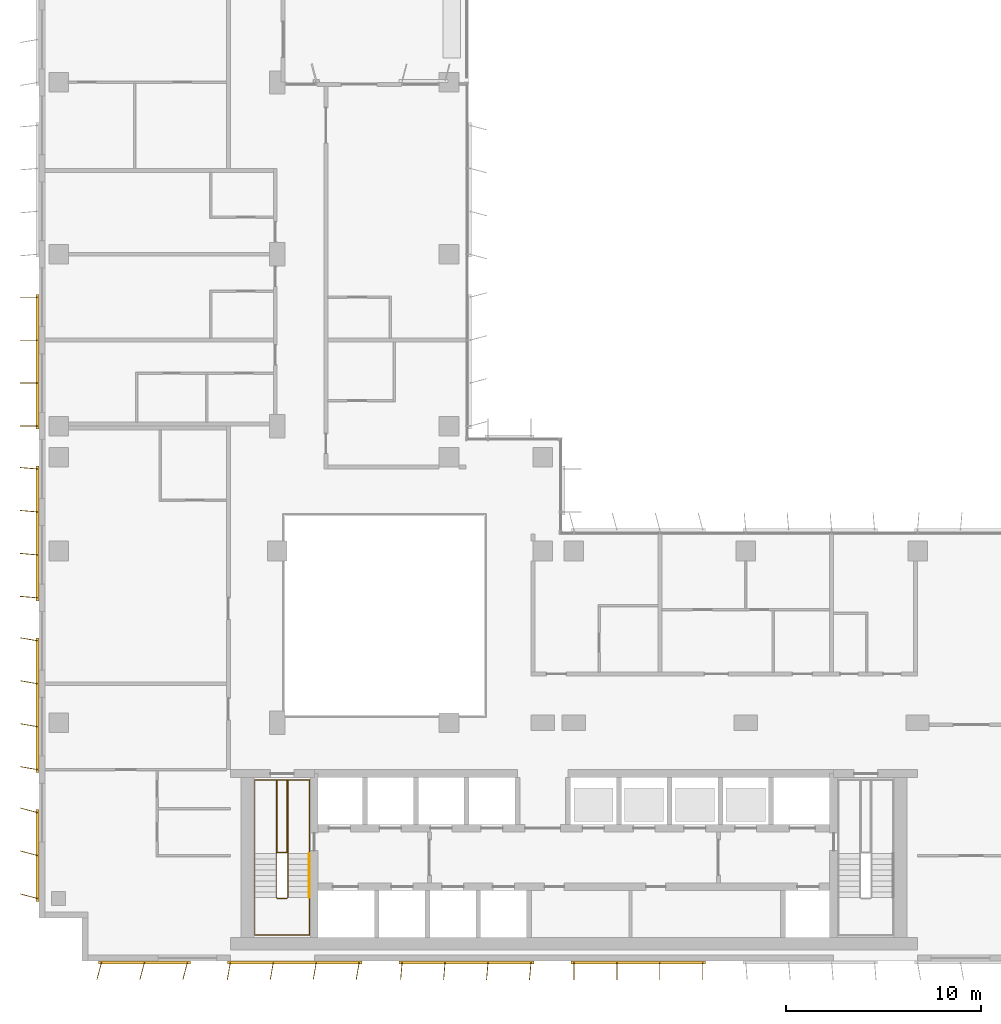
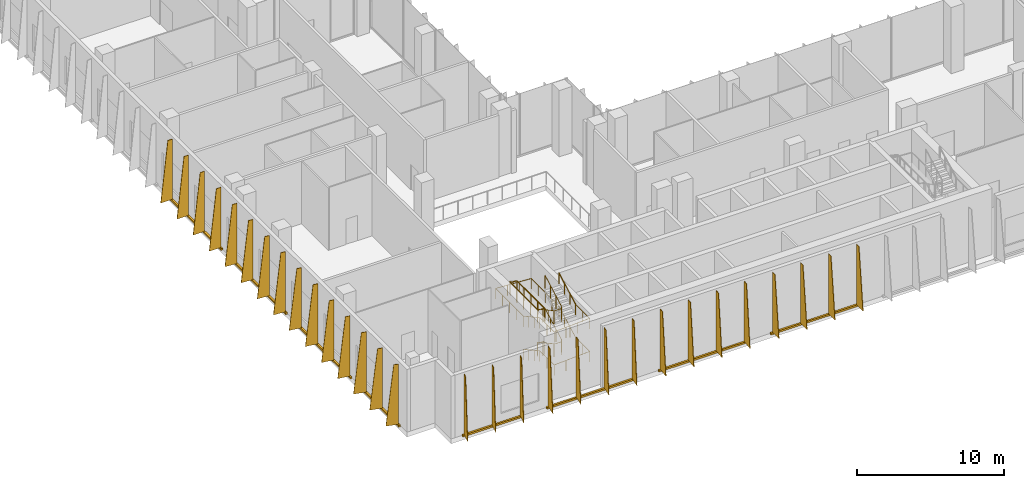
# One storey, part 19 of 24: 8 shading devices, 4 railings.
"""IFC4 building model written with IfcOpenShell, lengths in metres."""

import ifcopenshell
import ifcopenshell.guid

model = None  # the IFC model being written
_history = None  # IfcOwnerHistory: only IFC2X3 demands one
_inside = {}  # id of a spatial element -> (the spatial element, [elements in it])
_under = {}  # id of a project, library or spatial element -> (it, [spatial elements below it])
_declared = {}  # id of a project -> (the project, [libraries it declares])
_typed = {}  # id of a type object -> (the type object, [elements of that type])
_made_of = {}  # id of a material, layer set ... -> (it, [elements and type objects made of it])


def new_model(schema):
    """Start an empty IFC model of exactly this schema.

    Asked for "IFC4X3", IfcOpenShell would pick the latest addendum, in which some entities
    have other attributes; the version numbers below select the first issue.
    IFC2X3 requires an IfcOwnerHistory on every rooted entity: one is made here for all.
    """
    global model, _history
    if schema == "IFC4X3":
        model = ifcopenshell.file(schema_version=(4, 3, 0, 0))
    else:
        model = ifcopenshell.file(schema=schema)
    _inside.clear()
    _under.clear()
    _declared.clear()
    _typed.clear()
    _made_of.clear()
    _history = None
    if model.schema == "IFC2X3":
        org = make("IfcOrganization", Name="unknown")
        user = make(
            "IfcPersonAndOrganization",
            ThePerson=make("IfcPerson", FamilyName="unknown"),
            TheOrganization=org,
        )
        app = make(
            "IfcApplication",
            ApplicationDeveloper=org,
            Version="unknown",
            ApplicationFullName="unknown",
            ApplicationIdentifier="unknown",
        )
        _history = make(
            "IfcOwnerHistory",
            OwningUser=user,
            OwningApplication=app,
            ChangeAction="ADDED",
            CreationDate=0,
        )
    return model


def make(cls, **values):
    """One entity of the class cls with the attributes given. An attribute that is None is left unset."""
    return model.create_entity(
        cls, **{name: value for name, value in values.items() if value is not None}
    )


def rooted(cls, **values):
    """An entity with a GlobalId (a new one), such as an element, a storey or a relation."""
    return make(cls, GlobalId=ifcopenshell.guid.new(), OwnerHistory=_history, **values)


def si_unit(unit_type, name, prefix=None):
    """IfcSIUnit, for example si_unit("LENGTHUNIT", "METRE", prefix="MILLI")."""
    return make("IfcSIUnit", UnitType=unit_type, Prefix=prefix, Name=name)


def assignment(units):
    """IfcUnitAssignment: the units of a project."""
    return None if units is None else make("IfcUnitAssignment", Units=units)


def point(xyz):
    """IfcCartesianPoint."""
    return None if xyz is None else make("IfcCartesianPoint", Coordinates=xyz)


def direction(xyz):
    """IfcDirection."""
    return None if xyz is None else make("IfcDirection", DirectionRatios=xyz)


def frame(location, z_axis=None, x_axis=None):
    """IfcAxis2Placement3D, a coordinate frame: its origin and axes. An axis left out is left unset."""
    return make(
        "IfcAxis2Placement3D",
        Location=point(location),
        Axis=direction(z_axis),
        RefDirection=direction(x_axis),
    )


def frame_2d(location, x_axis=None):
    """IfcAxis2Placement2D, a coordinate frame in the plane: its origin and x axis."""
    return make(
        "IfcAxis2Placement2D", Location=point(location), RefDirection=direction(x_axis)
    )


def origin():
    """The frame at (0, 0, 0) with its axes left unset."""
    return frame((0.0, 0.0, 0.0))


def origin_2d():
    """The frame at (0, 0) in the plane with its x axis left unset."""
    return frame_2d((0.0, 0.0))


def place(relative_to, where):
    """IfcLocalPlacement: puts the frame where relative to a parent placement (None: the world)."""
    return make(
        "IfcLocalPlacement", PlacementRelTo=relative_to, RelativePlacement=where
    )


def context(
    kind, dimensions, precision=None, world=None, true_north=None, identifier=None
):
    """IfcGeometricRepresentationContext, for example the 3D "Model" context."""
    return make(
        "IfcGeometricRepresentationContext",
        ContextIdentifier=identifier,
        ContextType=kind,
        CoordinateSpaceDimension=dimensions,
        Precision=precision,
        WorldCoordinateSystem=world,
        TrueNorth=true_north,
    )


def subcontext(parent, identifier, kind, view, scale=None):
    """IfcGeometricRepresentationSubContext, for example "Body" below "Model"."""
    return make(
        "IfcGeometricRepresentationSubContext",
        ContextIdentifier=identifier,
        ContextType=kind,
        ParentContext=parent,
        TargetScale=scale,
        TargetView=view,
    )


def project(units=None, contexts=None):
    """IfcProject with its units and contexts."""
    return rooted(
        "IfcProject",
        Name="project",
        RepresentationContexts=contexts,
        UnitsInContext=assignment(units),
    )


def spatial(cls, under=None, at=None, **own):
    """A site, building, storey or space (cls), placed at a placement, below another one or the project."""
    s = rooted(cls, ObjectPlacement=at, **own)
    if under is not None:
        _under.setdefault(under.id(), (under, []))[1].append(s)
    return s


def polyline(points):
    """IfcPolyline through the points."""
    return make("IfcPolyline", Points=[point(p) for p in points])


def profile(cls, at=None, kind="AREA", **sizes):
    """A parametric profile (cls). Its sizes go by their IFC names, for example OverallWidth=200.0."""
    return make(cls, ProfileType=kind, Position=at, **sizes)


def rectangle(**sizes):
    """IfcRectangleProfileDef."""
    return profile("IfcRectangleProfileDef", **sizes)


def circle(**sizes):
    """IfcCircleProfileDef."""
    return profile("IfcCircleProfileDef", **sizes)


def outline(outer, holes=None, kind="AREA"):
    """IfcArbitraryClosedProfileDef: a profile drawn as a closed curve; with holes, ...WithVoids."""
    if holes is None:
        return make("IfcArbitraryClosedProfileDef", ProfileType=kind, OuterCurve=outer)
    return make(
        "IfcArbitraryProfileDefWithVoids",
        ProfileType=kind,
        OuterCurve=outer,
        InnerCurves=holes,
    )


def extrude(swept, where, along, depth):
    """IfcExtrudedAreaSolid: the profile swept, set in the frame where, extruded along a direction by depth."""
    return make(
        "IfcExtrudedAreaSolid",
        SweptArea=swept,
        Position=where,
        ExtrudedDirection=direction(along),
        Depth=depth,
    )


def shape(context_of_items, identifier, shape_type, items):
    """IfcShapeRepresentation: the items that make up one representation, for example the "Body"."""
    return make(
        "IfcShapeRepresentation",
        ContextOfItems=context_of_items,
        RepresentationIdentifier=identifier,
        RepresentationType=shape_type,
        Items=items,
    )


def source(mapping_origin, context_of_items, identifier, shape_type, items):
    """IfcRepresentationMap: a shape defined once, which mapped items show again and again."""
    return make(
        "IfcRepresentationMap",
        MappingOrigin=mapping_origin,
        MappedRepresentation=shape(context_of_items, identifier, shape_type, items),
    )


def transform(
    local_origin,
    x_axis=None,
    y_axis=None,
    z_axis=None,
    scale=None,
    scale2=None,
    scale3=None,
    uniform=True,
):
    """IfcCartesianTransformationOperator3D, or its non-uniform kind. x_axis, y_axis, z_axis: its Axis1, 2, 3."""
    if uniform:
        return make(
            "IfcCartesianTransformationOperator3D",
            Axis1=direction(x_axis),
            Axis2=direction(y_axis),
            LocalOrigin=point(local_origin),
            Scale=scale,
            Axis3=direction(z_axis),
        )
    return make(
        "IfcCartesianTransformationOperator3DnonUniform",
        Axis1=direction(x_axis),
        Axis2=direction(y_axis),
        LocalOrigin=point(local_origin),
        Scale=scale,
        Axis3=direction(z_axis),
        Scale2=scale2,
        Scale3=scale3,
    )


def mapped(mapping_source, mapping_target):
    """IfcMappedItem: shows the shape of a source again, moved by a transform."""
    return make(
        "IfcMappedItem", MappingSource=mapping_source, MappingTarget=mapping_target
    )


def material(Name=None, Category=None):
    """IfcMaterial."""
    return make("IfcMaterial", Name=Name, Category=Category)


def layer(
    of_material, thickness, ventilated=None, Name=None, Category=None, Priority=None
):
    """IfcMaterialLayer: one layer of a wall or slab, of a material (None: an air gap)."""
    return make(
        "IfcMaterialLayer",
        Material=of_material,
        LayerThickness=thickness,
        IsVentilated=ventilated,
        Name=Name,
        Category=Category,
        Priority=Priority,
    )


def layer_set(layers, Name=None):
    """IfcMaterialLayerSet."""
    return make("IfcMaterialLayerSet", MaterialLayers=layers, LayerSetName=Name)


def made_of(thing, what):
    """Note that an element or type object is made of a material, layer set ...; save() writes the relation."""
    if what is not None:
        _made_of.setdefault(what.id(), (what, []))[1].append(thing)
    return thing


def type_object(cls, material=None, **own):
    """A type object (cls), such as IfcWallType, which elements share."""
    return made_of(rooted(cls, **own), material)


def element(
    cls,
    number,
    at=None,
    inside=None,
    cuts=None,
    type_object=None,
    material=None,
    context=None,
    identifier="Body",
    shape_type=None,
    held_by="IfcProductDefinitionShape",
    body=None,
    shapes=None,
    **own,
):
    """One element of the class cls, such as IfcWall. Its Tag is "e" and its number.

    at: its placement. inside: the storey or other place that contains it. cuts: it is an
    opening in that element (IfcRelVoidsElement). A single representation is given by context,
    identifier, shape_type and body (its items); several are given by shapes. held_by: the class
    of the entity that holds the representations. save() writes the other relations.
    """
    e = rooted(cls, Tag="e%d" % number, ObjectPlacement=at, **own)
    if body is not None:
        shapes = [shape(context, identifier, shape_type, body)]
    if shapes is not None:
        e.Representation = make(held_by, Representations=shapes)
    if inside is not None:
        _inside.setdefault(inside.id(), (inside, []))[1].append(e)
    if cuts is not None:
        rooted(
            "IfcRelVoidsElement", RelatingBuildingElement=cuts, RelatedOpeningElement=e
        )
    if type_object is not None:
        _typed.setdefault(type_object.id(), (type_object, []))[1].append(e)
    return made_of(e, material)


def aggregate(whole, parts):
    """IfcRelAggregates: a whole, such as a stair, and the parts it consists of."""
    return rooted("IfcRelAggregates", RelatingObject=whole, RelatedObjects=parts)


def save(model, path):
    """Write the relations noted so far, then the file.

    IfcRelAggregates (storeys below a building ...), IfcRelContainedInSpatialStructure (elements
    in a storey), IfcRelDefinesByType, IfcRelAssociatesMaterial and IfcRelDeclares: one each for
    every whole, place, type object, material and project.
    """
    for whole, parts in _under.values():
        aggregate(whole, parts)
    for where, things in _inside.values():
        rooted(
            "IfcRelContainedInSpatialStructure",
            RelatedElements=things,
            RelatingStructure=where,
        )
    for kind, things in _typed.values():
        rooted("IfcRelDefinesByType", RelatedObjects=things, RelatingType=kind)
    for what, things in _made_of.values():
        rooted("IfcRelAssociatesMaterial", RelatedObjects=things, RelatingMaterial=what)
    for by, libraries in _declared.values():
        rooted("IfcRelDeclares", RelatingContext=by, RelatedDefinitions=libraries)
    model.write(path)


model = new_model("IFC4")

# Units and contexts
model_context = context("Model", 3, precision=1e-05, world=origin(), true_north=direction((0.0, 1.0)))
body_context = subcontext(model_context, "Body", "Model", "MODEL_VIEW")
ifc_project = project(units=[si_unit("LENGTHUNIT", "METRE"), si_unit("AREAUNIT", "SQUARE_METRE"), si_unit("VOLUMEUNIT", "CUBIC_METRE"), si_unit("PLANEANGLEUNIT", "RADIAN"), si_unit("MASSUNIT", "GRAM", prefix="KILO")], contexts=[model_context])

# Site, building, storey
site_placement = place(None, origin())
site = spatial("IfcSite", under=ifc_project, at=site_placement, CompositionType="ELEMENT")
building_placement = place(site_placement, origin())
building = spatial("IfcBuilding", under=site, at=building_placement, Name="Kemantara Hotel Tower", CompositionType="ELEMENT")
storey_placement = place(building_placement, frame((0.0, 0.0, 202.5)))
storey = spatial("IfcBuildingStorey", under=building, at=storey_placement, Name="L50", CompositionType="ELEMENT", Elevation=202.5)

# Railings
ifc_material_1 = material(Name="Stainless steel balustrade", Category="steel")
railing_type_1 = type_object("IfcRailingType", Name="Stair guard 1100 mm", PredefinedType="GUARDRAIL", material=ifc_material_1)
railing_1_placement = place(storey_placement, frame((12.75, 5.5, 5.5)))
element("IfcRailing", 1, at=railing_1_placement, inside=storey, type_object=railing_type_1, Name="L50 ST1 stair guard 1", PredefinedType="GUARDRAIL", context=body_context, shape_type="SweptSolid", body=[
    extrude(circle(Radius=0.02392578125, at=origin_2d()), frame((0.0, 0.0, 1.076171875), z_axis=(0.0, -0.87783706319, -0.478959382924), x_axis=(1.0, 0.0, 0.0)), (0.0, 0.0, 1.0), 2.5517578125),
    extrude(circle(Radius=0.02392578125, at=origin_2d()), frame((0.0, -2.239990234375, -0.14599609375), z_axis=(-0.297155754911, -0.297155754911, -0.90741220768), x_axis=(0.707106781187, -0.707106781187, 0.0)), (0.0, 0.0, 1.0), 0.16845703125),
    extrude(circle(Radius=0.02392578125, at=origin_2d()), frame((-0.050048828125, -2.2900390625, -0.298828125), z_axis=(-1.0, 0.0, 0.0), x_axis=(0.0, -1.0, 0.0)), (0.0, 0.0, 1.0), 0.5),
    extrude(circle(Radius=0.02392578125, at=origin_2d()), frame((-0.550048828125, -2.2900390625, -0.298828125), z_axis=(-0.707106781187, 0.707106781187, 0.0), x_axis=(-0.707106781187, -0.707106781187, 0.0)), (0.0, 0.0, 1.0), 0.07080078125),
    extrude(circle(Radius=0.02392578125, at=origin_2d()), frame((-0.60009765625, -2.239990234375, -0.298828125), z_axis=(0.0, 0.87783706319, -0.478959382924), x_axis=(-1.0, 0.0, 0.0)), (0.0, 0.0, 1.0), 2.5517578125),
    extrude(circle(Radius=0.02392578125, at=origin_2d()), frame((-0.60009765625, 0.0, -1.52099609375), z_axis=(0.0, 1.0, 0.0), x_axis=(-1.0, 0.0, 0.0)), (0.0, 0.0, 1.0), 3.780029296875),
    extrude(circle(Radius=0.02392578125, at=origin_2d()), frame((-0.60009765625, 3.780029296875, -1.52099609375), z_axis=(0.963499526908, 0.0, -0.267710032776), x_axis=(0.0, 1.0, 0.0)), (0.0, 0.0, 1.0), 0.57080078125),
    extrude(circle(Radius=0.02392578125, at=origin_2d()), frame((-0.050048828125, 3.780029296875, -1.673828125), z_axis=(0.0, -1.0, 0.0), x_axis=(1.0, 0.0, 0.0)), (0.0, 0.0, 1.0), 3.72998046875),
    extrude(circle(Radius=0.02392578125, at=origin_2d()), frame((-0.050048828125, 0.050048828125, -1.673828125), z_axis=(-1.0, 0.0, 0.0), x_axis=(0.0, -1.0, 0.0)), (0.0, 0.0, 1.0), 0.5),
    extrude(circle(Radius=0.02392578125, at=origin_2d()), frame((-0.550048828125, 0.050048828125, -1.673828125), z_axis=(0.0, 1.0, 0.0), x_axis=(-1.0, 0.0, 0.0)), (0.0, 0.0, 1.0), 3.72998046875),
    extrude(circle(Radius=0.02392578125, at=origin_2d()), frame((-0.550048828125, 3.780029296875, -1.673828125), z_axis=(1.0, 0.0, 0.0), x_axis=(0.0, 1.0, 0.0)), (0.0, 0.0, 1.0), 0.550048828125),
    extrude(circle(Radius=0.02392578125, at=origin_2d()), frame((0.0, 3.780029296875, -1.673828125), z_axis=(0.0, -1.0, 0.0), x_axis=(1.0, 0.0, 0.0)), (0.0, 0.0, 1.0), 3.780029296875),
    extrude(circle(Radius=0.02392578125, at=origin_2d()), frame((0.0, 0.0, -1.673828125), z_axis=(0.0, -0.87783706319, -0.478959382924), x_axis=(1.0, 0.0, 0.0)), (0.0, 0.0, 1.0), 2.5517578125),
    extrude(circle(Radius=0.02392578125, at=origin_2d()), frame((0.0, -2.239990234375, -2.89599609375), z_axis=(-0.297155754911, -0.297155754911, -0.90741220768), x_axis=(0.707106781187, -0.707106781187, 0.0)), (0.0, 0.0, 1.0), 0.16845703125),
    extrude(circle(Radius=0.02392578125, at=origin_2d()), frame((-0.050048828125, -2.2900390625, -3.048828125), z_axis=(-1.0, 0.0, 0.0), x_axis=(0.0, -1.0, 0.0)), (0.0, 0.0, 1.0), 0.5),
    extrude(circle(Radius=0.02392578125, at=origin_2d()), frame((-0.550048828125, -2.2900390625, -3.048828125), z_axis=(-0.707106781187, 0.707106781187, 0.0), x_axis=(-0.707106781187, -0.707106781187, 0.0)), (0.0, 0.0, 1.0), 0.07080078125),
    extrude(circle(Radius=0.02392578125, at=origin_2d()), frame((-0.60009765625, -2.239990234375, -3.048828125), z_axis=(0.0, 0.87783706319, -0.478959382924), x_axis=(-1.0, 0.0, 0.0)), (0.0, 0.0, 1.0), 2.5517578125),
    extrude(circle(Radius=0.02392578125, at=origin_2d()), frame((-0.60009765625, 0.0, -4.27099609375), z_axis=(0.297155754911, 0.297155754911, -0.90741220768), x_axis=(-0.707106781187, 0.707106781187, 0.0)), (0.0, 0.0, 1.0), 0.16845703125),
    extrude(circle(Radius=0.02392578125, at=origin_2d()), frame((-0.550048828125, 0.050048828125, -4.423828125), z_axis=(1.0, 0.0, 0.0), x_axis=(0.0, 1.0, 0.0)), (0.0, 0.0, 1.0), 0.5),
    extrude(circle(Radius=0.02099609375, at=origin_2d()), origin(), (0.0, 0.0, 1.0), 1.052001953125),
    extrude(circle(Radius=0.02099609375, at=origin_2d()), frame((0.0, -0.74658203125, -0.407470703125)), (0.0, 0.0, 1.0), 1.052001953125),
    extrude(circle(Radius=0.02099609375, at=origin_2d()), frame((0.0, -1.493408203125, -0.814697265625)), (0.0, 0.0, 1.0), 1.052001953125),
    extrude(circle(Radius=0.02099609375, at=origin_2d()), frame((0.0, -2.239990234375, -1.22216796875)), (0.0, 0.0, 1.0), 1.052001953125),
    extrude(circle(Radius=0.02099609375, at=origin_2d()), frame((-0.050048828125, -2.2900390625, -1.375)), (0.0, 0.0, 1.0), 1.052001953125),
    extrude(circle(Radius=0.02099609375, at=origin_2d()), frame((-0.550048828125, -2.2900390625, -1.375)), (0.0, 0.0, 1.0), 1.052001953125),
    extrude(circle(Radius=0.02099609375, at=origin_2d()), frame((-0.60009765625, -2.239990234375, -1.375)), (0.0, 0.0, 1.0), 1.052001953125),
    extrude(circle(Radius=0.02099609375, at=origin_2d()), frame((-0.60009765625, -1.493408203125, -1.782470703125)), (0.0, 0.0, 1.0), 1.052001953125),
    extrude(circle(Radius=0.02099609375, at=origin_2d()), frame((-0.60009765625, -0.74658203125, -2.189697265625)), (0.0, 0.0, 1.0), 1.052001953125),
    extrude(circle(Radius=0.02099609375, at=origin_2d()), frame((-0.60009765625, 0.0, -2.59716796875)), (0.0, 0.0, 1.0), 1.052001953125),
    extrude(circle(Radius=0.02099609375, at=origin_2d()), frame((-0.60009765625, 0.945068359375, -2.59716796875)), (0.0, 0.0, 1.0), 1.052001953125),
    extrude(circle(Radius=0.02099609375, at=origin_2d()), frame((-0.60009765625, 1.89013671875, -2.59716796875)), (0.0, 0.0, 1.0), 1.052001953125),
    extrude(circle(Radius=0.02099609375, at=origin_2d()), frame((-0.60009765625, 2.8349609375, -2.59716796875)), (0.0, 0.0, 1.0), 1.052001953125),
    extrude(circle(Radius=0.02099609375, at=origin_2d()), frame((-0.60009765625, 3.780029296875, -2.59716796875)), (0.0, 0.0, 1.0), 1.052001953125),
    extrude(circle(Radius=0.02099609375, at=origin_2d()), frame((-0.050048828125, 3.780029296875, -2.75)), (0.0, 0.0, 1.0), 1.052001953125),
    extrude(circle(Radius=0.02099609375, at=origin_2d()), frame((-0.050048828125, 2.84765625, -2.75)), (0.0, 0.0, 1.0), 1.052001953125),
    extrude(circle(Radius=0.02099609375, at=origin_2d()), frame((-0.050048828125, 1.9150390625, -2.75)), (0.0, 0.0, 1.0), 1.052001953125),
    extrude(circle(Radius=0.02099609375, at=origin_2d()), frame((-0.050048828125, 0.982421875, -2.75)), (0.0, 0.0, 1.0), 1.052001953125),
    extrude(circle(Radius=0.02099609375, at=origin_2d()), frame((-0.050048828125, 0.050048828125, -2.75)), (0.0, 0.0, 1.0), 1.052001953125),
    extrude(circle(Radius=0.02099609375, at=origin_2d()), frame((-0.550048828125, 0.050048828125, -2.75)), (0.0, 0.0, 1.0), 1.052001953125),
    extrude(circle(Radius=0.02099609375, at=origin_2d()), frame((-0.550048828125, 0.982421875, -2.75)), (0.0, 0.0, 1.0), 1.052001953125),
    extrude(circle(Radius=0.02099609375, at=origin_2d()), frame((-0.550048828125, 1.9150390625, -2.75)), (0.0, 0.0, 1.0), 1.052001953125),
    extrude(circle(Radius=0.02099609375, at=origin_2d()), frame((-0.550048828125, 2.84765625, -2.75)), (0.0, 0.0, 1.0), 1.052001953125),
    extrude(circle(Radius=0.02099609375, at=origin_2d()), frame((-0.550048828125, 3.780029296875, -2.75)), (0.0, 0.0, 1.0), 1.052001953125),
    extrude(circle(Radius=0.02099609375, at=origin_2d()), frame((0.0, 3.780029296875, -2.75)), (0.0, 0.0, 1.0), 1.052001953125),
    extrude(circle(Radius=0.02099609375, at=origin_2d()), frame((0.0, 2.8349609375, -2.75)), (0.0, 0.0, 1.0), 1.052001953125),
    extrude(circle(Radius=0.02099609375, at=origin_2d()), frame((0.0, 1.89013671875, -2.75)), (0.0, 0.0, 1.0), 1.052001953125),
    extrude(circle(Radius=0.02099609375, at=origin_2d()), frame((0.0, 0.945068359375, -2.75)), (0.0, 0.0, 1.0), 1.052001953125),
    extrude(circle(Radius=0.02099609375, at=origin_2d()), frame((0.0, 0.0, -2.75)), (0.0, 0.0, 1.0), 1.052001953125),
    extrude(circle(Radius=0.02099609375, at=origin_2d()), frame((0.0, -0.74658203125, -3.157470703125)), (0.0, 0.0, 1.0), 1.052001953125),
    extrude(circle(Radius=0.02099609375, at=origin_2d()), frame((0.0, -1.493408203125, -3.564697265625)), (0.0, 0.0, 1.0), 1.052001953125),
    extrude(circle(Radius=0.02099609375, at=origin_2d()), frame((0.0, -2.239990234375, -3.97216796875)), (0.0, 0.0, 1.0), 1.052001953125),
    extrude(circle(Radius=0.02099609375, at=origin_2d()), frame((-0.050048828125, -2.2900390625, -4.125)), (0.0, 0.0, 1.0), 1.052001953125),
    extrude(circle(Radius=0.02099609375, at=origin_2d()), frame((-0.550048828125, -2.2900390625, -4.125)), (0.0, 0.0, 1.0), 1.052001953125),
    extrude(circle(Radius=0.02099609375, at=origin_2d()), frame((-0.60009765625, -2.239990234375, -4.125)), (0.0, 0.0, 1.0), 1.052001953125),
    extrude(circle(Radius=0.02099609375, at=origin_2d()), frame((-0.60009765625, -1.493408203125, -4.532470703125)), (0.0, 0.0, 1.0), 1.052001953125),
    extrude(circle(Radius=0.02099609375, at=origin_2d()), frame((-0.60009765625, -0.74658203125, -4.939697265625)), (0.0, 0.0, 1.0), 1.052001953125),
    extrude(circle(Radius=0.02099609375, at=origin_2d()), frame((-0.60009765625, 0.0, -5.34716796875)), (0.0, 0.0, 1.0), 1.052001953125),
    extrude(circle(Radius=0.02099609375, at=origin_2d()), frame((-0.550048828125, 0.050048828125, -5.5)), (0.0, 0.0, 1.0), 1.052001953125),
    extrude(circle(Radius=0.02099609375, at=origin_2d()), frame((-0.050048828125, 0.050048828125, -5.5)), (0.0, 0.0, 1.0), 1.052001953125),
])
railing_type_2 = type_object("IfcRailingType", Name="Stair handrail 900 mm", PredefinedType="HANDRAIL", material=ifc_material_1)
railing_2_placement = place(storey_placement, frame((11.050048828125, 5.5, 0.15283203125)))
element("IfcRailing", 2, at=railing_2_placement, inside=storey, type_object=railing_type_2, Name="L50 ST1 stair handrail 1", PredefinedType="HANDRAIL", context=body_context, shape_type="SweptSolid", body=[
    extrude(circle(Radius=0.02392578125, at=origin_2d()), frame((0.0, 0.0, 0.8759765625), z_axis=(0.0, -0.87783706319, 0.478959382924), x_axis=(1.0, 0.0, 0.0)), (0.0, 0.0, 1.0), 2.5517578125),
    extrude(circle(Radius=0.02392578125, at=origin_2d()), frame((0.0, -2.239990234375, 2.09814453125), z_axis=(0.0, -1.0, 0.0), x_axis=(1.0, 0.0, 0.0)), (0.0, 0.0, 1.0), 1.93994140625),
    extrude(circle(Radius=0.02392578125, at=origin_2d()), frame((0.0, -4.179931640625, 2.09814453125), z_axis=(0.998513727286, 0.0, 0.054500792857), x_axis=(0.0, 1.0, 0.0)), (0.0, 0.0, 1.0), 2.80419921875),
    extrude(circle(Radius=0.02392578125, at=origin_2d()), frame((2.800048828125, -4.179931640625, 2.2509765625), z_axis=(0.0, 1.0, 0.0), x_axis=(-1.0, 0.0, 0.0)), (0.0, 0.0, 1.0), 1.93994140625),
    extrude(circle(Radius=0.02392578125, at=origin_2d()), frame((2.800048828125, -2.239990234375, 2.2509765625), z_axis=(0.0, 0.87783706319, 0.478959382924), x_axis=(-1.0, 0.0, 0.0)), (0.0, 0.0, 1.0), 2.5517578125),
    extrude(circle(Radius=0.02099609375, at=origin_2d()), origin(), (0.0, 0.0, 1.0), 0.851806640625),
    extrude(circle(Radius=0.02099609375, at=origin_2d()), frame((0.0, -0.74658203125, 0.407470703125)), (0.0, 0.0, 1.0), 0.851806640625),
    extrude(circle(Radius=0.02099609375, at=origin_2d()), frame((0.0, -1.493408203125, 0.814697265625)), (0.0, 0.0, 1.0), 0.851806640625),
    extrude(circle(Radius=0.02099609375, at=origin_2d()), frame((0.0, -2.239990234375, 1.22216796875)), (0.0, 0.0, 1.0), 0.851806640625),
    extrude(circle(Radius=0.02099609375, at=origin_2d()), frame((0.0, -3.2099609375, 1.22216796875)), (0.0, 0.0, 1.0), 0.851806640625),
    extrude(circle(Radius=0.02099609375, at=origin_2d()), frame((0.0, -4.179931640625, 1.22216796875)), (0.0, 0.0, 1.0), 0.851806640625),
    extrude(circle(Radius=0.02099609375, at=origin_2d()), frame((0.933349609375, -4.179931640625, 1.273193359375)), (0.0, 0.0, 1.0), 0.851806640625),
    extrude(circle(Radius=0.02099609375, at=origin_2d()), frame((1.86669921875, -4.179931640625, 1.323974609375)), (0.0, 0.0, 1.0), 0.851806640625),
    extrude(circle(Radius=0.02099609375, at=origin_2d()), frame((2.800048828125, -4.179931640625, 1.375)), (0.0, 0.0, 1.0), 0.851806640625),
    extrude(circle(Radius=0.02099609375, at=origin_2d()), frame((2.800048828125, -3.2099609375, 1.375)), (0.0, 0.0, 1.0), 0.851806640625),
    extrude(circle(Radius=0.02099609375, at=origin_2d()), frame((2.800048828125, -2.239990234375, 1.375)), (0.0, 0.0, 1.0), 0.851806640625),
    extrude(circle(Radius=0.02099609375, at=origin_2d()), frame((2.800048828125, -1.493408203125, 1.782470703125)), (0.0, 0.0, 1.0), 0.851806640625),
    extrude(circle(Radius=0.02099609375, at=origin_2d()), frame((2.800048828125, -0.74658203125, 2.189697265625)), (0.0, 0.0, 1.0), 0.851806640625),
    extrude(circle(Radius=0.02099609375, at=origin_2d()), frame((2.800048828125, 0.0, 2.59716796875)), (0.0, 0.0, 1.0), 0.851806640625),
])
railing_3_placement = place(storey_placement, frame((13.85009765625, 5.5, 2.75)))
element("IfcRailing", 3, at=railing_3_placement, inside=storey, type_object=railing_type_2, Name="L50 ST1 stair handrail 2", PredefinedType="HANDRAIL", context=body_context, shape_type="SweptSolid", body=[
    extrude(circle(Radius=0.02392578125, at=origin_2d()), frame((0.0, 0.0, 0.8759765625), z_axis=(0.0, 1.0, 0.0), x_axis=(-1.0, 0.0, 0.0)), (0.0, 0.0, 1.0), 3.780029296875),
    extrude(circle(Radius=0.02392578125, at=origin_2d()), frame((0.0, 3.780029296875, 0.8759765625), z_axis=(-0.998513727286, 0.0, 0.054500792857), x_axis=(0.0, -1.0, 0.0)), (0.0, 0.0, 1.0), 2.80419921875),
    extrude(circle(Radius=0.02392578125, at=origin_2d()), frame((-2.800048828125, 3.780029296875, 1.02880859375), z_axis=(0.0, -1.0, 0.0), x_axis=(1.0, 0.0, 0.0)), (0.0, 0.0, 1.0), 3.780029296875),
    extrude(circle(Radius=0.02392578125, at=origin_2d()), frame((-2.800048828125, 0.0, 1.02880859375), z_axis=(0.0, -0.87783706319, 0.478959382924), x_axis=(1.0, 0.0, 0.0)), (0.0, 0.0, 1.0), 2.5517578125),
    extrude(circle(Radius=0.02392578125, at=origin_2d()), frame((-2.800048828125, -2.239990234375, 2.2509765625), z_axis=(0.0, -1.0, 0.0), x_axis=(1.0, 0.0, 0.0)), (0.0, 0.0, 1.0), 1.93994140625),
    extrude(circle(Radius=0.02392578125, at=origin_2d()), frame((-2.800048828125, -4.179931640625, 2.2509765625), z_axis=(0.998513727286, 0.0, 0.054500792857), x_axis=(0.0, 1.0, 0.0)), (0.0, 0.0, 1.0), 2.80419921875),
    extrude(circle(Radius=0.02392578125, at=origin_2d()), frame((0.0, -4.179931640625, 2.40380859375), z_axis=(0.0, 1.0, 0.0), x_axis=(-1.0, 0.0, 0.0)), (0.0, 0.0, 1.0), 1.93994140625),
    extrude(circle(Radius=0.02099609375, at=origin_2d()), origin(), (0.0, 0.0, 1.0), 0.851806640625),
    extrude(circle(Radius=0.02099609375, at=origin_2d()), frame((0.0, 0.945068359375, 0.0)), (0.0, 0.0, 1.0), 0.851806640625),
    extrude(circle(Radius=0.02099609375, at=origin_2d()), frame((0.0, 1.89013671875, 0.0)), (0.0, 0.0, 1.0), 0.851806640625),
    extrude(circle(Radius=0.02099609375, at=origin_2d()), frame((0.0, 2.8349609375, 0.0)), (0.0, 0.0, 1.0), 0.851806640625),
    extrude(circle(Radius=0.02099609375, at=origin_2d()), frame((0.0, 3.780029296875, 0.0)), (0.0, 0.0, 1.0), 0.851806640625),
    extrude(circle(Radius=0.02099609375, at=origin_2d()), frame((-0.933349609375, 3.780029296875, 0.051025390625)), (0.0, 0.0, 1.0), 0.851806640625),
    extrude(circle(Radius=0.02099609375, at=origin_2d()), frame((-1.86669921875, 3.780029296875, 0.101806640625)), (0.0, 0.0, 1.0), 0.851806640625),
    extrude(circle(Radius=0.02099609375, at=origin_2d()), frame((-2.800048828125, 3.780029296875, 0.15283203125)), (0.0, 0.0, 1.0), 0.851806640625),
    extrude(circle(Radius=0.02099609375, at=origin_2d()), frame((-2.800048828125, 2.8349609375, 0.15283203125)), (0.0, 0.0, 1.0), 0.851806640625),
    extrude(circle(Radius=0.02099609375, at=origin_2d()), frame((-2.800048828125, 1.89013671875, 0.15283203125)), (0.0, 0.0, 1.0), 0.851806640625),
    extrude(circle(Radius=0.02099609375, at=origin_2d()), frame((-2.800048828125, 0.945068359375, 0.15283203125)), (0.0, 0.0, 1.0), 0.851806640625),
    extrude(circle(Radius=0.02099609375, at=origin_2d()), frame((-2.800048828125, 0.0, 0.15283203125)), (0.0, 0.0, 1.0), 0.851806640625),
    extrude(circle(Radius=0.02099609375, at=origin_2d()), frame((-2.800048828125, -0.74658203125, 0.560302734375)), (0.0, 0.0, 1.0), 0.851806640625),
    extrude(circle(Radius=0.02099609375, at=origin_2d()), frame((-2.800048828125, -1.493408203125, 0.967529296875)), (0.0, 0.0, 1.0), 0.851806640625),
    extrude(circle(Radius=0.02099609375, at=origin_2d()), frame((-2.800048828125, -2.239990234375, 1.375)), (0.0, 0.0, 1.0), 0.851806640625),
    extrude(circle(Radius=0.02099609375, at=origin_2d()), frame((-2.800048828125, -3.2099609375, 1.375)), (0.0, 0.0, 1.0), 0.851806640625),
    extrude(circle(Radius=0.02099609375, at=origin_2d()), frame((-2.800048828125, -4.179931640625, 1.375)), (0.0, 0.0, 1.0), 0.851806640625),
    extrude(circle(Radius=0.02099609375, at=origin_2d()), frame((-1.86669921875, -4.179931640625, 1.426025390625)), (0.0, 0.0, 1.0), 0.851806640625),
    extrude(circle(Radius=0.02099609375, at=origin_2d()), frame((-0.933349609375, -4.179931640625, 1.476806640625)), (0.0, 0.0, 1.0), 0.851806640625),
    extrude(circle(Radius=0.02099609375, at=origin_2d()), frame((0.0, -4.179931640625, 1.52783203125)), (0.0, 0.0, 1.0), 0.851806640625),
    extrude(circle(Radius=0.02099609375, at=origin_2d()), frame((0.0, -3.2099609375, 1.52783203125)), (0.0, 0.0, 1.0), 0.851806640625),
    extrude(circle(Radius=0.02099609375, at=origin_2d()), frame((0.0, -2.239990234375, 1.52783203125)), (0.0, 0.0, 1.0), 0.851806640625),
])
railing_4_placement = place(storey_placement, frame((13.85009765625, 3.260009765625, 4.27783203125)))
element("IfcRailing", 4, at=railing_4_placement, inside=storey, type_object=railing_type_2, Name="L50 ST1 stair handrail 3", PredefinedType="HANDRAIL", context=body_context, shape_type="SweptSolid", body=[
    extrude(circle(Radius=0.02392578125, at=origin_2d()), frame((0.0, 0.0, 0.8759765625), z_axis=(0.0, 0.87783706319, 0.478959382924), x_axis=(-1.0, 0.0, 0.0)), (0.0, 0.0, 1.0), 2.5517578125),
    extrude(circle(Radius=0.02099609375, at=origin_2d()), origin(), (0.0, 0.0, 1.0), 0.851806640625),
    extrude(circle(Radius=0.02099609375, at=origin_2d()), frame((0.0, 0.74658203125, 0.407470703125)), (0.0, 0.0, 1.0), 0.851806640625),
    extrude(circle(Radius=0.02099609375, at=origin_2d()), frame((0.0, 1.493408203125, 0.814697265625)), (0.0, 0.0, 1.0), 0.851806640625),
    extrude(circle(Radius=0.02099609375, at=origin_2d()), frame((0.0, 2.239990234375, 1.22216796875)), (0.0, 0.0, 1.0), 0.851806640625),
])

# Shading devices
ifc_material_2 = material(Name="Perforated aluminium plate 4 mm bronze anodised", Category="aluminium")
ifc_layer_1 = layer(ifc_material_2, 0.0400390625)
ifc_layer_set_1 = layer_set([ifc_layer_1], Name="Perforated aluminium plate 4 mm bronze anodised")
shading_device_type_1 = type_object("IfcShadingDeviceType", Name="SCREEN FIN CASSETTE, 4 BLADES AT +0.0 DEG, 5000 HIGH", PredefinedType="USERDEFINED", material=ifc_layer_set_1)
shared_shape_1 = source(origin(), body_context, "Body", "SweptSolid", [
    extrude(rectangle(XDim=6.89990234375, YDim=0.14990234375, at=origin_2d()), frame((3.300048828125, -0.074951171875, -0.14990234375), z_axis=(0.0, 0.0, 1.0), x_axis=(1.0, 0.0, 0.0)), (0.0, 0.0, 1.0), 0.14990234375),
    extrude(outline(polyline([(0.0, 0.0), (0.89990234375, 0.0), (0.35009765625, 5.0), (0.0, 5.0), (0.0, 0.0)])), frame((0.02001953125, -0.074951171875, 0.0), z_axis=(-1.0, 0.0, 0.0), x_axis=(0.0, -1.0, 0.0)), (0.0, 0.0, 1.0), 0.0400390625),
    extrude(outline(polyline([(0.0, 0.0), (0.89990234375, 0.0), (0.35009765625, 5.0), (0.0, 5.0), (0.0, 0.0)])), frame((2.219970703125, -0.074951171875, 0.0), z_axis=(-1.0, 0.0, 0.0), x_axis=(0.0, -1.0, 0.0)), (0.0, 0.0, 1.0), 0.0400390625),
    extrude(outline(polyline([(0.0, 0.0), (0.89990234375, 0.0), (0.35009765625, 5.0), (0.0, 5.0), (0.0, 0.0)])), frame((4.419921875, -0.074951171875, 0.0), z_axis=(-1.0, 0.0, 0.0), x_axis=(0.0, -1.0, 0.0)), (0.0, 0.0, 1.0), 0.0400390625),
    extrude(outline(polyline([(0.0, 0.0), (0.89990234375, 0.0), (0.35009765625, 5.0), (0.0, 5.0), (0.0, 0.0)])), frame((6.6201171875, -0.074951171875, 0.0), z_axis=(-1.0, 0.0, 0.0), x_axis=(0.0, -1.0, 0.0)), (0.0, 0.0, 1.0), 0.0400390625),
])
for number, where, z_axis, x_axis, name in (
    (5, (0.0, 34.0, 0.10009765625), (0.0, 0.0, 1.0), (0.0, -1.0, 0.0), "SCREEN FIN CASSETTE L50 T3S-R06-4"),
    (6, (27.39990234375, 0.0, 0.10009765625), (0.0, 0.0, 1.0), (1.0, 0.0, 0.0), "SCREEN FIN CASSETTE L50 T3S-R09-4"),
):
    element("IfcShadingDevice", number, at=place(storey_placement, frame(where, z_axis=z_axis, x_axis=x_axis)), inside=storey, type_object=shading_device_type_1, Name=name, ObjectType="SCREEN FIN", PredefinedType="USERDEFINED", context=body_context, shape_type="MappedRepresentation", body=[
        mapped(shared_shape_1, transform((0.0, 0.0, 0.0))),
    ])
ifc_layer_2 = layer(ifc_material_2, 0.0400390625)
ifc_layer_set_2 = layer_set([ifc_layer_2], Name="Perforated aluminium plate 4 mm bronze anodised")
shading_device_type_2 = type_object("IfcShadingDeviceType", Name="SCREEN FIN CASSETTE, 3 BLADES AT -15.0 DEG, 5000 HIGH", PredefinedType="USERDEFINED", material=ifc_layer_set_2)
shared_shape_2 = source(origin(), body_context, "Body", "SweptSolid", [
    extrude(rectangle(XDim=4.699951171875, YDim=0.14990234375, at=origin_2d()), frame((2.199951171875, -0.074951171875, -0.14990234375), z_axis=(0.0, 0.0, 1.0), x_axis=(1.0, 0.0, 0.0)), (0.0, 0.0, 1.0), 0.14990234375),
    extrude(outline(polyline([(0.0, 0.0), (0.89990234375, 0.0), (0.35009765625, 5.0), (0.0, 5.0), (0.0, 0.0)])), frame((0.019287109375, -0.080078125, 0.0), z_axis=(-0.966437683387, 0.256901156343, 0.0), x_axis=(-0.256901156343, -0.966437683387, 0.0)), (0.0, 0.0, 1.0), 0.039794921875),
    extrude(outline(polyline([(0.0, 0.0), (0.89990234375, 0.0), (0.35009765625, 5.0), (0.0, 5.0), (0.0, 0.0)])), frame((2.21923828125, -0.080078125, 0.0), z_axis=(-0.966437683387, 0.256901156343, 0.0), x_axis=(-0.256901156343, -0.966437683387, 0.0)), (0.0, 0.0, 1.0), 0.039794921875),
    extrude(outline(polyline([(0.0, 0.0), (0.89990234375, 0.0), (0.35009765625, 5.0), (0.0, 5.0), (0.0, 0.0)])), frame((4.41943359375, -0.080078125, 0.0), z_axis=(-0.966837822169, 0.255391122837, 0.0), x_axis=(-0.255391122837, -0.966837822169, 0.0)), (0.0, 0.0, 1.0), 0.0400390625),
])
for number, where, z_axis, x_axis, name in (
    (7, (0.0, 7.60009765625, 0.10009765625), (0.0, 0.0, 1.0), (0.0, -1.0, 0.0), "SCREEN FIN CASSETTE L50 T3S-R06-7"),
    (8, (3.199951171875, 0.0, 0.10009765625), (0.0, 0.0, 1.0), (1.0, 0.0, 0.0), "SCREEN FIN CASSETTE L50 T3S-R09-1"),
):
    element("IfcShadingDevice", number, at=place(storey_placement, frame(where, z_axis=z_axis, x_axis=x_axis)), inside=storey, type_object=shading_device_type_2, Name=name, ObjectType="SCREEN FIN", PredefinedType="USERDEFINED", context=body_context, shape_type="MappedRepresentation", body=[
        mapped(shared_shape_2, transform((0.0, 0.0, 0.0))),
    ])
ifc_layer_3 = layer(ifc_material_2, 0.0400390625)
ifc_layer_set_3 = layer_set([ifc_layer_3], Name="Perforated aluminium plate 4 mm bronze anodised")
shading_device_type_3 = type_object("IfcShadingDeviceType", Name="SCREEN FIN CASSETTE, 4 BLADES AT -5.0 DEG, 5000 HIGH", PredefinedType="USERDEFINED", material=ifc_layer_set_3)
shared_shape_3 = source(origin(), body_context, "Body", "SweptSolid", [
    extrude(rectangle(XDim=6.89990234375, YDim=0.14990234375, at=origin_2d()), frame((3.300048828125, -0.074951171875, -0.14990234375), z_axis=(0.0, 0.0, 1.0), x_axis=(1.0, 0.0, 0.0)), (0.0, 0.0, 1.0), 0.14990234375),
    extrude(outline(polyline([(0.0, 0.0), (0.89990234375, 0.0), (0.35009765625, 5.0), (0.0, 5.0), (0.0, 0.0)])), frame((0.02001953125, -0.07666015625, 0.0), z_axis=(-0.996376129781, 0.085056498884, 0.0), x_axis=(-0.085056498884, -0.996376129781, 0.0)), (0.0, 0.0, 1.0), 0.040283203125),
    extrude(outline(polyline([(0.0, 0.0), (0.89990234375, 0.0), (0.35009765625, 5.0), (0.0, 5.0), (0.0, 0.0)])), frame((2.219970703125, -0.07666015625, 0.0), z_axis=(-0.996331773833, 0.085574508182, 0.0), x_axis=(-0.085574508182, -0.996331773833, 0.0)), (0.0, 0.0, 1.0), 0.0400390625),
    extrude(outline(polyline([(0.0, 0.0), (0.89990234375, 0.0), (0.35009765625, 5.0), (0.0, 5.0), (0.0, 0.0)])), frame((4.419921875, -0.07666015625, 0.0), z_axis=(-0.996331773833, 0.085574508182, 0.0), x_axis=(-0.085574508182, -0.996331773833, 0.0)), (0.0, 0.0, 1.0), 0.0400390625),
    extrude(outline(polyline([(0.0, 0.0), (0.89990234375, 0.0), (0.35009765625, 5.0), (0.0, 5.0), (0.0, 0.0)])), frame((6.619873046875, -0.07666015625, 0.0), z_axis=(-0.996331773833, 0.085574508182, 0.0), x_axis=(-0.085574508182, -0.996331773833, 0.0)), (0.0, 0.0, 1.0), 0.0400390625),
])
for number, where, z_axis, x_axis, name in (
    (9, (0.0, 25.199951171875, 0.10009765625), (0.0, 0.0, 1.0), (0.0, -1.0, 0.0), "SCREEN FIN CASSETTE L50 T3S-R06-5"),
    (10, (18.60009765625, 0.0, 0.10009765625), (0.0, 0.0, 1.0), (1.0, 0.0, 0.0), "SCREEN FIN CASSETTE L50 T3S-R09-3"),
):
    element("IfcShadingDevice", number, at=place(storey_placement, frame(where, z_axis=z_axis, x_axis=x_axis)), inside=storey, type_object=shading_device_type_3, Name=name, ObjectType="SCREEN FIN", PredefinedType="USERDEFINED", context=body_context, shape_type="MappedRepresentation", body=[
        mapped(shared_shape_3, transform((0.0, 0.0, 0.0))),
    ])
ifc_layer_4 = layer(ifc_material_2, 0.0400390625)
ifc_layer_set_4 = layer_set([ifc_layer_4], Name="Perforated aluminium plate 4 mm bronze anodised")
shading_device_type_4 = type_object("IfcShadingDeviceType", Name="SCREEN FIN CASSETTE, 4 BLADES AT -10.0 DEG, 5000 HIGH", PredefinedType="USERDEFINED", material=ifc_layer_set_4)
shared_shape_4 = source(origin(), body_context, "Body", "SweptSolid", [
    extrude(rectangle(XDim=6.89990234375, YDim=0.14990234375, at=origin_2d()), frame((3.300048828125, -0.074951171875, -0.14990234375), z_axis=(0.0, 0.0, 1.0), x_axis=(1.0, 0.0, 0.0)), (0.0, 0.0, 1.0), 0.14990234375),
    extrude(outline(polyline([(0.0, 0.0), (0.89990234375, 0.0), (0.35009765625, 5.0), (0.0, 5.0), (0.0, 0.0)])), frame((0.019775390625, -0.078369140625, 0.0), z_axis=(-0.985389793052, 0.170314285219, 0.0), x_axis=(-0.170314285219, -0.985389793052, 0.0)), (0.0, 0.0, 1.0), 0.0400390625),
    extrude(outline(polyline([(0.0, 0.0), (0.89990234375, 0.0), (0.35009765625, 5.0), (0.0, 5.0), (0.0, 0.0)])), frame((2.2197265625, -0.078369140625, 0.0), z_axis=(-0.98521175482, 0.171341174751, 0.0), x_axis=(-0.171341174751, -0.98521175482, 0.0)), (0.0, 0.0, 1.0), 0.039794921875),
    extrude(outline(polyline([(0.0, 0.0), (0.89990234375, 0.0), (0.35009765625, 5.0), (0.0, 5.0), (0.0, 0.0)])), frame((4.419677734375, -0.078369140625, 0.0), z_axis=(-0.98521175482, 0.171341174751, 0.0), x_axis=(-0.171341174751, -0.98521175482, 0.0)), (0.0, 0.0, 1.0), 0.039794921875),
    extrude(outline(polyline([(0.0, 0.0), (0.89990234375, 0.0), (0.35009765625, 5.0), (0.0, 5.0), (0.0, 0.0)])), frame((6.61962890625, -0.078369140625, 0.0), z_axis=(-0.98521175482, 0.171341174751, 0.0), x_axis=(-0.171341174751, -0.98521175482, 0.0)), (0.0, 0.0, 1.0), 0.039794921875),
])
for number, where, z_axis, x_axis, name in (
    (11, (0.0, 16.39990234375, 0.10009765625), (0.0, 0.0, 1.0), (0.0, -1.0, 0.0), "SCREEN FIN CASSETTE L50 T3S-R06-6"),
    (12, (9.800048828125, 0.0, 0.10009765625), (0.0, 0.0, 1.0), (1.0, 0.0, 0.0), "SCREEN FIN CASSETTE L50 T3S-R09-2"),
):
    element("IfcShadingDevice", number, at=place(storey_placement, frame(where, z_axis=z_axis, x_axis=x_axis)), inside=storey, type_object=shading_device_type_4, Name=name, ObjectType="SCREEN FIN", PredefinedType="USERDEFINED", context=body_context, shape_type="MappedRepresentation", body=[
        mapped(shared_shape_4, transform((0.0, 0.0, 0.0))),
    ])

save(model, "model.ifc")
